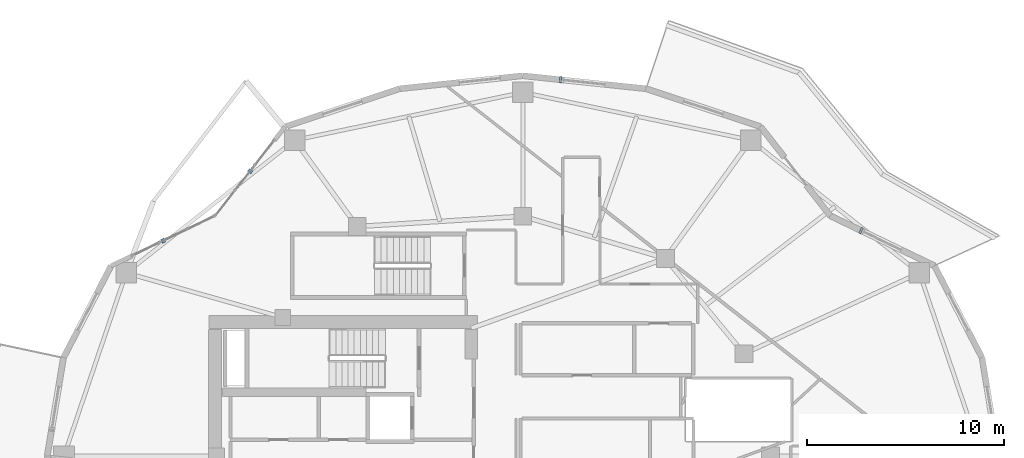
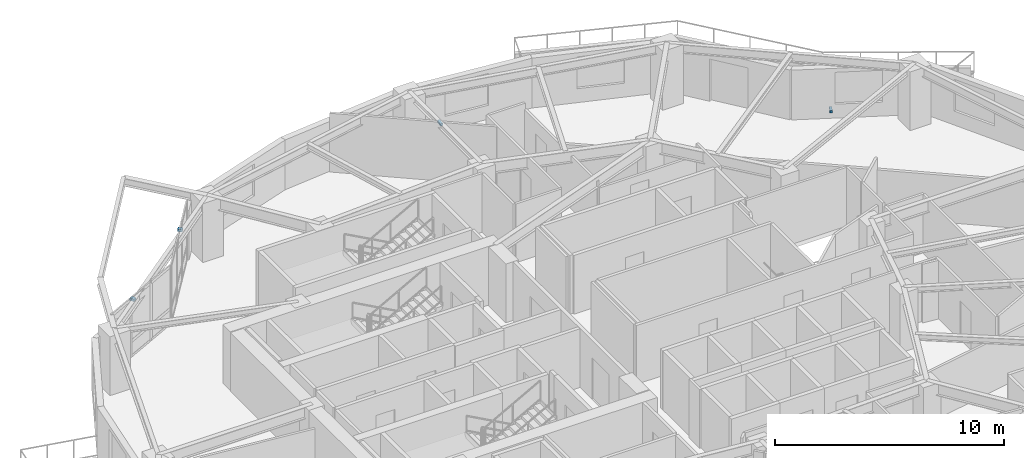
# One storey, part 14 of 18: 4 discrete accessories.
"""IFC4 building model written with IfcOpenShell, lengths in metres."""

import ifcopenshell
import ifcopenshell.guid

model = None  # the IFC model being written
_history = None  # IfcOwnerHistory: only IFC2X3 demands one
_inside = {}  # id of a spatial element -> (the spatial element, [elements in it])
_under = {}  # id of a project, library or spatial element -> (it, [spatial elements below it])
_declared = {}  # id of a project -> (the project, [libraries it declares])
_typed = {}  # id of a type object -> (the type object, [elements of that type])
_made_of = {}  # id of a material, layer set ... -> (it, [elements and type objects made of it])


def new_model(schema):
    """Start an empty IFC model of exactly this schema.

    Asked for "IFC4X3", IfcOpenShell would pick the latest addendum, in which some entities
    have other attributes; the version numbers below select the first issue.
    IFC2X3 requires an IfcOwnerHistory on every rooted entity: one is made here for all.
    """
    global model, _history
    if schema == "IFC4X3":
        model = ifcopenshell.file(schema_version=(4, 3, 0, 0))
    else:
        model = ifcopenshell.file(schema=schema)
    _inside.clear()
    _under.clear()
    _declared.clear()
    _typed.clear()
    _made_of.clear()
    _history = None
    if model.schema == "IFC2X3":
        org = make("IfcOrganization", Name="unknown")
        user = make(
            "IfcPersonAndOrganization",
            ThePerson=make("IfcPerson", FamilyName="unknown"),
            TheOrganization=org,
        )
        app = make(
            "IfcApplication",
            ApplicationDeveloper=org,
            Version="unknown",
            ApplicationFullName="unknown",
            ApplicationIdentifier="unknown",
        )
        _history = make(
            "IfcOwnerHistory",
            OwningUser=user,
            OwningApplication=app,
            ChangeAction="ADDED",
            CreationDate=0,
        )
    return model


def make(cls, **values):
    """One entity of the class cls with the attributes given. An attribute that is None is left unset."""
    return model.create_entity(
        cls, **{name: value for name, value in values.items() if value is not None}
    )


def rooted(cls, **values):
    """An entity with a GlobalId (a new one), such as an element, a storey or a relation."""
    return make(cls, GlobalId=ifcopenshell.guid.new(), OwnerHistory=_history, **values)


def si_unit(unit_type, name, prefix=None):
    """IfcSIUnit, for example si_unit("LENGTHUNIT", "METRE", prefix="MILLI")."""
    return make("IfcSIUnit", UnitType=unit_type, Prefix=prefix, Name=name)


def assignment(units):
    """IfcUnitAssignment: the units of a project."""
    return None if units is None else make("IfcUnitAssignment", Units=units)


def point(xyz):
    """IfcCartesianPoint."""
    return None if xyz is None else make("IfcCartesianPoint", Coordinates=xyz)


def direction(xyz):
    """IfcDirection."""
    return None if xyz is None else make("IfcDirection", DirectionRatios=xyz)


def frame(location, z_axis=None, x_axis=None):
    """IfcAxis2Placement3D, a coordinate frame: its origin and axes. An axis left out is left unset."""
    return make(
        "IfcAxis2Placement3D",
        Location=point(location),
        Axis=direction(z_axis),
        RefDirection=direction(x_axis),
    )


def frame_2d(location, x_axis=None):
    """IfcAxis2Placement2D, a coordinate frame in the plane: its origin and x axis."""
    return make(
        "IfcAxis2Placement2D", Location=point(location), RefDirection=direction(x_axis)
    )


def origin():
    """The frame at (0, 0, 0) with its axes left unset."""
    return frame((0.0, 0.0, 0.0))


def origin_2d():
    """The frame at (0, 0) in the plane with its x axis left unset."""
    return frame_2d((0.0, 0.0))


def place(relative_to, where):
    """IfcLocalPlacement: puts the frame where relative to a parent placement (None: the world)."""
    return make(
        "IfcLocalPlacement", PlacementRelTo=relative_to, RelativePlacement=where
    )


def context(
    kind, dimensions, precision=None, world=None, true_north=None, identifier=None
):
    """IfcGeometricRepresentationContext, for example the 3D "Model" context."""
    return make(
        "IfcGeometricRepresentationContext",
        ContextIdentifier=identifier,
        ContextType=kind,
        CoordinateSpaceDimension=dimensions,
        Precision=precision,
        WorldCoordinateSystem=world,
        TrueNorth=true_north,
    )


def subcontext(parent, identifier, kind, view, scale=None):
    """IfcGeometricRepresentationSubContext, for example "Body" below "Model"."""
    return make(
        "IfcGeometricRepresentationSubContext",
        ContextIdentifier=identifier,
        ContextType=kind,
        ParentContext=parent,
        TargetScale=scale,
        TargetView=view,
    )


def project(units=None, contexts=None):
    """IfcProject with its units and contexts."""
    return rooted(
        "IfcProject",
        Name="project",
        RepresentationContexts=contexts,
        UnitsInContext=assignment(units),
    )


def spatial(cls, under=None, at=None, **own):
    """A site, building, storey or space (cls), placed at a placement, below another one or the project."""
    s = rooted(cls, ObjectPlacement=at, **own)
    if under is not None:
        _under.setdefault(under.id(), (under, []))[1].append(s)
    return s


def profile(cls, at=None, kind="AREA", **sizes):
    """A parametric profile (cls). Its sizes go by their IFC names, for example OverallWidth=200.0."""
    return make(cls, ProfileType=kind, Position=at, **sizes)


def rectangle(**sizes):
    """IfcRectangleProfileDef."""
    return profile("IfcRectangleProfileDef", **sizes)


def extrude(swept, where, along, depth):
    """IfcExtrudedAreaSolid: the profile swept, set in the frame where, extruded along a direction by depth."""
    return make(
        "IfcExtrudedAreaSolid",
        SweptArea=swept,
        Position=where,
        ExtrudedDirection=direction(along),
        Depth=depth,
    )


def shape(context_of_items, identifier, shape_type, items):
    """IfcShapeRepresentation: the items that make up one representation, for example the "Body"."""
    return make(
        "IfcShapeRepresentation",
        ContextOfItems=context_of_items,
        RepresentationIdentifier=identifier,
        RepresentationType=shape_type,
        Items=items,
    )


def material(Name=None, Category=None):
    """IfcMaterial."""
    return make("IfcMaterial", Name=Name, Category=Category)


def made_of(thing, what):
    """Note that an element or type object is made of a material, layer set ...; save() writes the relation."""
    if what is not None:
        _made_of.setdefault(what.id(), (what, []))[1].append(thing)
    return thing


def type_object(cls, material=None, **own):
    """A type object (cls), such as IfcWallType, which elements share."""
    return made_of(rooted(cls, **own), material)


def element(
    cls,
    number,
    at=None,
    inside=None,
    cuts=None,
    type_object=None,
    material=None,
    context=None,
    identifier="Body",
    shape_type=None,
    held_by="IfcProductDefinitionShape",
    body=None,
    shapes=None,
    **own,
):
    """One element of the class cls, such as IfcWall. Its Tag is "e" and its number.

    at: its placement. inside: the storey or other place that contains it. cuts: it is an
    opening in that element (IfcRelVoidsElement). A single representation is given by context,
    identifier, shape_type and body (its items); several are given by shapes. held_by: the class
    of the entity that holds the representations. save() writes the other relations.
    """
    e = rooted(cls, Tag="e%d" % number, ObjectPlacement=at, **own)
    if body is not None:
        shapes = [shape(context, identifier, shape_type, body)]
    if shapes is not None:
        e.Representation = make(held_by, Representations=shapes)
    if inside is not None:
        _inside.setdefault(inside.id(), (inside, []))[1].append(e)
    if cuts is not None:
        rooted(
            "IfcRelVoidsElement", RelatingBuildingElement=cuts, RelatedOpeningElement=e
        )
    if type_object is not None:
        _typed.setdefault(type_object.id(), (type_object, []))[1].append(e)
    return made_of(e, material)


def aggregate(whole, parts):
    """IfcRelAggregates: a whole, such as a stair, and the parts it consists of."""
    return rooted("IfcRelAggregates", RelatingObject=whole, RelatedObjects=parts)


def save(model, path):
    """Write the relations noted so far, then the file.

    IfcRelAggregates (storeys below a building ...), IfcRelContainedInSpatialStructure (elements
    in a storey), IfcRelDefinesByType, IfcRelAssociatesMaterial and IfcRelDeclares: one each for
    every whole, place, type object, material and project.
    """
    for whole, parts in _under.values():
        aggregate(whole, parts)
    for where, things in _inside.values():
        rooted(
            "IfcRelContainedInSpatialStructure",
            RelatedElements=things,
            RelatingStructure=where,
        )
    for kind, things in _typed.values():
        rooted("IfcRelDefinesByType", RelatedObjects=things, RelatingType=kind)
    for what, things in _made_of.values():
        rooted("IfcRelAssociatesMaterial", RelatedObjects=things, RelatingMaterial=what)
    for by, libraries in _declared.values():
        rooted("IfcRelDeclares", RelatingContext=by, RelatedDefinitions=libraries)
    model.write(path)


model = new_model("IFC4")

# Units and contexts
model_context = context("Model", 3, precision=1e-05, world=origin(), true_north=direction((0.0, 1.0)))
body_context = subcontext(model_context, "Body", "Model", "MODEL_VIEW")
ifc_project = project(units=[si_unit("LENGTHUNIT", "METRE"), si_unit("AREAUNIT", "SQUARE_METRE"), si_unit("VOLUMEUNIT", "CUBIC_METRE"), si_unit("PLANEANGLEUNIT", "RADIAN"), si_unit("MASSUNIT", "GRAM", prefix="KILO")], contexts=[model_context])

# Site, building, storey
site_placement = place(None, origin())
site = spatial("IfcSite", under=ifc_project, at=site_placement, CompositionType="ELEMENT")
building_placement = place(site_placement, origin())
building = spatial("IfcBuilding", under=site, at=building_placement, Name="Kolvaren Gate Tower and Convention Centre", CompositionType="ELEMENT")
storey_placement = place(building_placement, frame((0.0, 0.0, 115.5)))
storey = spatial("IfcBuildingStorey", under=building, at=storey_placement, Name="L28", CompositionType="ELEMENT", Elevation=115.5)

# Discrete accessories
ifc_material = material(Name="Anodized Architectural Aluminium Alloy 6063-T6", Category="aluminium")
discrete_accessory_type = type_object("IfcDiscreteAccessoryType", Name="ARCH-ACC-BRACKET-120", PredefinedType="BRACKET", material=ifc_material)
for number, where, z_axis, x_axis, name in (
    (1, (47.329833984375, 38.472900390625, 0.2900390625), (0.0, 0.0, 1.0), (0.901362925045, -0.433064518696, 0.0), "Ceramic Fin Wall Anchor Bracket FBK-L28-02"),
    (2, (32.05126953125, 46.147216796875, 0.2900390625), (0.0, 0.0, 1.0), (0.994499981166, -0.104736753152, 0.0), "Ceramic Fin Wall Anchor Bracket FBK-L28-05"),
):
    element("IfcDiscreteAccessory", number, at=place(storey_placement, frame(where, z_axis=z_axis, x_axis=x_axis)), inside=storey, type_object=discrete_accessory_type, Name=name, PredefinedType="BRACKET", context=body_context, shape_type="SweptSolid", body=[
        extrude(rectangle(XDim=0.1201171875, YDim=0.320068359375, at=origin_2d()), origin(), (0.0, 0.0, 1.0), 0.1201171875),
    ])
for number, where, z_axis, x_axis, name in (
    (3, (16.25634765625, 41.490234375, 2.949951171875), (0.0, 0.0, 1.0), (0.616435493395, 0.787405411769, 0.0), "Solar Screen Spandrel Anchor Bracket BK-L28-08"),
    (4, (11.82958984375, 37.948974609375, 2.949951171875), (0.0, 0.0, 1.0), (0.901362925045, 0.433064518696, 0.0), "Solar Screen Spandrel Anchor Bracket BK-L28-09"),
):
    element("IfcDiscreteAccessory", number, at=place(storey_placement, frame(where, z_axis=z_axis, x_axis=x_axis)), inside=storey, type_object=discrete_accessory_type, Name=name, PredefinedType="BRACKET", context=body_context, shape_type="SweptSolid", body=[
        extrude(rectangle(XDim=0.179931640625, YDim=0.219970703125, at=origin_2d()), origin(), (0.0, 0.0, 1.0), 0.1201171875),
    ])

save(model, "model.ifc")
